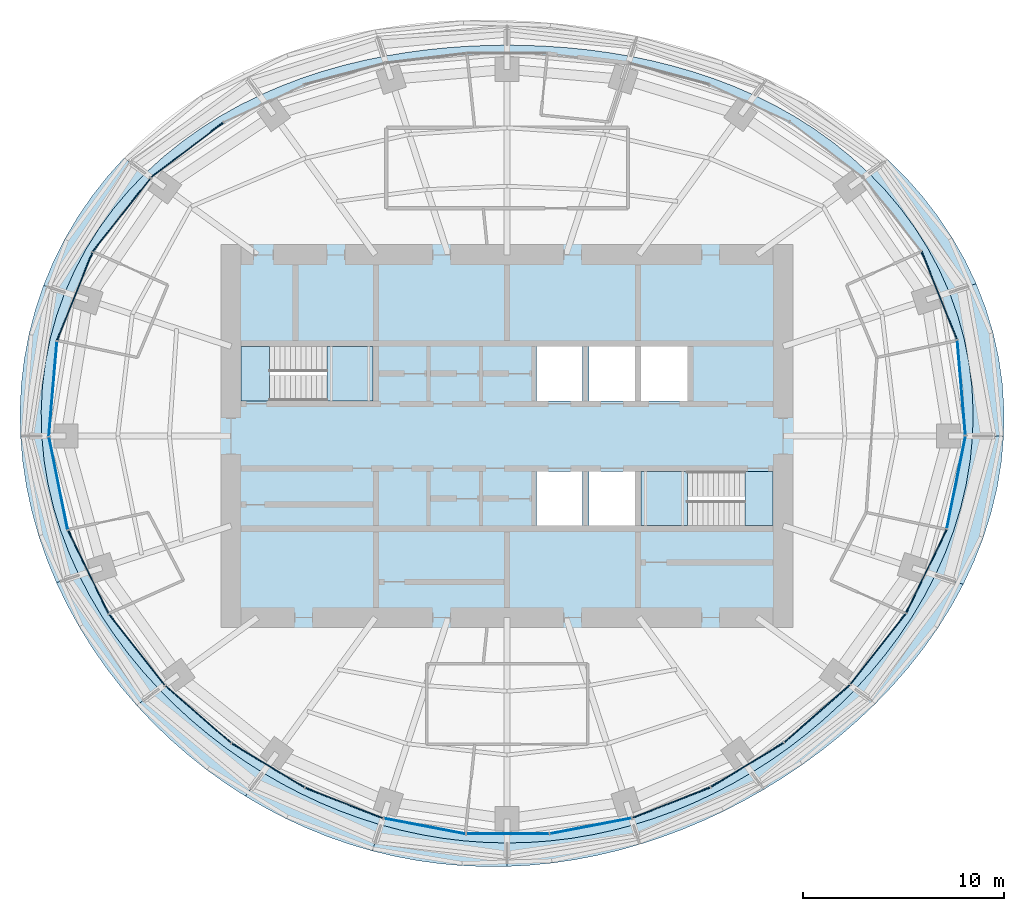
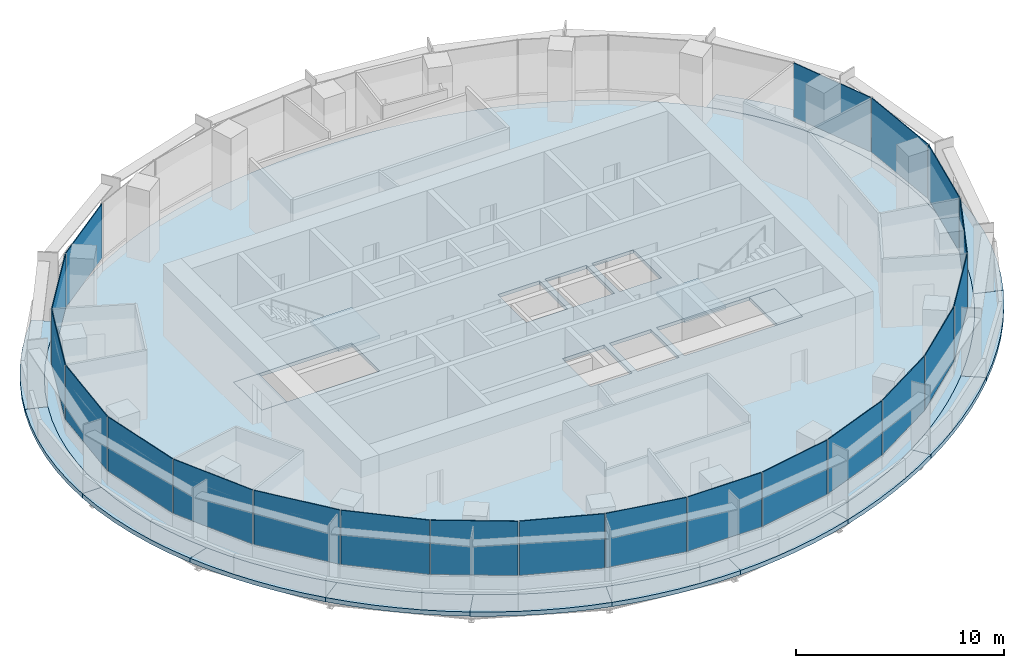
# One storey, part 9 of 15: 21 plates, 19 slabs, 7 elements without a shape of their own.
"""IFC4 building model written with IfcOpenShell, lengths in metres."""

from ifc_helpers import new_model, si_unit, direction, frame, origin, origin_2d, place, context, subcontext, project, spatial, polyline, rectangle, outline, extrude, material, layer, layer_set, type_object, element, aggregate, save


model = new_model("IFC4")

# Units and contexts
model_context = context("Model", 3, precision=1e-05, world=origin(), true_north=direction((0.0, 1.0)))
body_context = subcontext(model_context, "Body", "Model", "MODEL_VIEW")
ifc_project = project(units=[si_unit("LENGTHUNIT", "METRE"), si_unit("AREAUNIT", "SQUARE_METRE"), si_unit("VOLUMEUNIT", "CUBIC_METRE"), si_unit("PLANEANGLEUNIT", "RADIAN"), si_unit("MASSUNIT", "GRAM", prefix="KILO")], contexts=[model_context])

# Site, building, storey
site_placement = place(None, origin())
site = spatial("IfcSite", under=ifc_project, at=site_placement, CompositionType="ELEMENT")
building_placement = place(site_placement, origin())
building = spatial("IfcBuilding", under=site, at=building_placement, Name="Marramba Exchange Tower", CompositionType="ELEMENT")
storey_placement = place(building_placement, frame((0.0, 0.0, 251.800048828125)))
storey = spatial("IfcBuildingStorey", under=building, at=storey_placement, Name="L61", CompositionType="ELEMENT", Elevation=251.800048828125)

# Curtain wall, plates
ifc_material_1 = material(Name="Aluminium framing, bronze anodised", Category="aluminium")
curtain_wall_type = type_object("IfcCurtainWallType", Name="Executive floor ribbon curtain wall", PredefinedType="USERDEFINED", material=ifc_material_1)
curtain_wall_1_placement = place(storey_placement, origin())
curtain_wall_1 = element("IfcCurtainWall", 1, at=curtain_wall_1_placement, inside=storey, type_object=curtain_wall_type, Name="Curtain wall CW5 L61 F01-F05", ObjectType="RIBBON CURTAIN WALL", PredefinedType="USERDEFINED")
ifc_material_2 = material(Name="Laminated double glazed unit 13.52 + 20 + 13.52, bronze tinted, acoustic interlayer", Category="glass")
ifc_layer_1 = layer(ifc_material_2, 0.047119140625)
ifc_layer_set_1 = layer_set([ifc_layer_1], Name="Executive floor ribbon curtain wall panel")
plate_type = type_object("IfcPlateType", Name="Executive floor ribbon curtain wall panel", PredefinedType="CURTAIN_PANEL", material=ifc_layer_set_1)
plate_1_placement = place(storey_placement, frame((22.54345703125, 2.404296875, 0.85986328125), z_axis=(0.0, 0.0, 1.0), x_axis=(-0.085574009881, 0.996331816632, 0.0)))
plate_1 = element("IfcPlate", 2, at=plate_1_placement, type_object=plate_type, Name="CW5 vision panel", PredefinedType="CURTAIN_PANEL", context=body_context, shape_type="SweptSolid", body=[
    extrude(rectangle(XDim=4.70654296875, YDim=0.047119140625, at=origin_2d()), origin(), (0.0, 0.0, 1.0), 3.179931640625),
])
plate_2_placement = place(storey_placement, frame((21.444580078125, 6.9814453125, 0.85986328125), z_axis=(0.0, 0.0, 1.0), x_axis=(-0.372983090774, 0.927838139977, 0.0)))
plate_2 = element("IfcPlate", 3, at=plate_2_placement, type_object=plate_type, Name="CW5 vision panel", PredefinedType="CURTAIN_PANEL", context=body_context, shape_type="SweptSolid", body=[
    extrude(rectangle(XDim=4.692138671875, YDim=0.047119140625, at=origin_2d()), origin(), (0.0, 0.0, 1.0), 3.179931640625),
])
aggregate(curtain_wall_1, [plate_1, plate_2])

curtain_wall_2_placement = place(storey_placement, origin())
curtain_wall_2 = element("IfcCurtainWall", 4, at=curtain_wall_2_placement, inside=storey, type_object=curtain_wall_type, Name="Curtain wall CW5 L61 F11-F15", ObjectType="RIBBON CURTAIN WALL", PredefinedType="USERDEFINED")
plate_3_placement = place(storey_placement, frame((-15.88330078125, 14.201416015625, 0.85986328125), z_axis=(0.0, 0.0, 1.0), x_axis=(-0.796058900199, -0.605219156516, 0.0)))
plate_3 = element("IfcPlate", 5, at=plate_3_placement, type_object=plate_type, Name="CW5 vision panel", PredefinedType="CURTAIN_PANEL", context=body_context, shape_type="SweptSolid", body=[
    extrude(rectangle(XDim=4.49755859375, YDim=0.047119140625, at=origin_2d()), origin(), (0.0, 0.0, 1.0), 3.179931640625),
])
plate_4_placement = place(storey_placement, frame((-19.14013671875, 10.975830078125, 0.85986328125), z_axis=(0.0, 0.0, 1.0), x_axis=(-0.618222857512, -0.786002861604, 0.0)))
plate_4 = element("IfcPlate", 6, at=plate_4_placement, type_object=plate_type, Name="CW5 vision panel", PredefinedType="CURTAIN_PANEL", context=body_context, shape_type="SweptSolid", body=[
    extrude(rectangle(XDim=4.624755859375, YDim=0.047119140625, at=origin_2d()), origin(), (0.0, 0.0, 1.0), 3.179931640625),
])
plate_5_placement = place(storey_placement, frame((-21.467041015625, 6.92578125, 0.85986328125), z_axis=(0.0, 0.0, 1.0), x_axis=(-0.372983090774, -0.927838139977, 0.0)))
plate_5 = element("IfcPlate", 7, at=plate_5_placement, type_object=plate_type, Name="CW5 vision panel", PredefinedType="CURTAIN_PANEL", context=body_context, shape_type="SweptSolid", body=[
    extrude(rectangle(XDim=4.692138671875, YDim=0.047119140625, at=origin_2d()), origin(), (0.0, 0.0, 1.0), 3.179931640625),
])
plate_6_placement = place(storey_placement, frame((-22.548583984375, 2.344482421875, 0.85986328125), z_axis=(0.0, 0.0, 1.0), x_axis=(-0.085574009881, -0.996331816632, 0.0)))
plate_6 = element("IfcPlate", 8, at=plate_6_placement, type_object=plate_type, Name="CW5 vision panel", PredefinedType="CURTAIN_PANEL", context=body_context, shape_type="SweptSolid", body=[
    extrude(rectangle(XDim=4.70654296875, YDim=0.047119140625, at=origin_2d()), origin(), (0.0, 0.0, 1.0), 3.179931640625),
])
aggregate(curtain_wall_2, [plate_3, plate_4, plate_5, plate_6])

curtain_wall_3_placement = place(storey_placement, origin())
curtain_wall_3 = element("IfcCurtainWall", 9, at=curtain_wall_3_placement, inside=storey, type_object=curtain_wall_type, Name="Curtain wall CW5 L61 F16-F20", ObjectType="RIBBON CURTAIN WALL", PredefinedType="USERDEFINED")
plate_7_placement = place(storey_placement, frame((-22.276611328125, -2.347900390625, 0.85986328125), z_axis=(0.0, 0.0, 1.0), x_axis=(0.19767053089, -0.980268514856, 0.0)))
plate_7 = element("IfcPlate", 10, at=plate_7_placement, type_object=plate_type, Name="CW5 vision panel", PredefinedType="CURTAIN_PANEL", context=body_context, shape_type="SweptSolid", body=[
    extrude(rectangle(XDim=4.670166015625, YDim=0.047119140625, at=origin_2d()), origin(), (0.0, 0.0, 1.0), 3.179931640625),
])
plate_8_placement = place(storey_placement, frame((-20.789306640625, -6.7509765625, 0.85986328125), z_axis=(0.0, 0.0, 1.0), x_axis=(0.436514585945, -0.89969718031, 0.0)))
plate_8 = element("IfcPlate", 11, at=plate_8_placement, type_object=plate_type, Name="CW5 vision panel", PredefinedType="CURTAIN_PANEL", context=body_context, shape_type="SweptSolid", body=[
    extrude(rectangle(XDim=4.579345703125, YDim=0.047119140625, at=origin_2d()), origin(), (0.0, 0.0, 1.0), 3.179931640625),
])
plate_9_placement = place(storey_placement, frame((-18.3779296875, -10.605712890625, 0.85986328125), z_axis=(0.0, 0.0, 1.0), x_axis=(0.618290634763, -0.78594954734, 0.0)))
plate_9 = element("IfcPlate", 12, at=plate_9_placement, type_object=plate_type, Name="CW5 vision panel", PredefinedType="CURTAIN_PANEL", context=body_context, shape_type="SweptSolid", body=[
    extrude(rectangle(XDim=4.447265625, YDim=0.047119140625, at=origin_2d()), origin(), (0.0, 0.0, 1.0), 3.179931640625),
])
plate_10_placement = place(storey_placement, frame((-15.335693359375, -13.8115234375, 0.85986328125), z_axis=(0.0, 0.0, 1.0), x_axis=(0.752751050569, -0.658305290779, 0.0)))
plate_10 = element("IfcPlate", 13, at=plate_10_placement, type_object=plate_type, Name="CW5 vision panel", PredefinedType="CURTAIN_PANEL", context=body_context, shape_type="SweptSolid", body=[
    extrude(rectangle(XDim=4.31005859375, YDim=0.047119140625, at=origin_2d()), origin(), (0.0, 0.0, 1.0), 3.179931640625),
])
plate_11_placement = place(storey_placement, frame((-11.866455078125, -16.35205078125, 0.85986328125), z_axis=(0.0, 0.0, 1.0), x_axis=(0.854704329539, -0.519115121209, 0.0)))
plate_11 = element("IfcPlate", 14, at=plate_11_placement, type_object=plate_type, Name="CW5 vision panel", PredefinedType="CURTAIN_PANEL", context=body_context, shape_type="SweptSolid", body=[
    extrude(rectangle(XDim=4.2021484375, YDim=0.047119140625, at=origin_2d()), origin(), (0.0, 0.0, 1.0), 3.179931640625),
])
aggregate(curtain_wall_3, [plate_7, plate_8, plate_9, plate_10, plate_11])

curtain_wall_4_placement = place(storey_placement, origin())
curtain_wall_4 = element("IfcCurtainWall", 15, at=curtain_wall_4_placement, inside=storey, type_object=curtain_wall_type, Name="Curtain wall CW5 L61 F21-F25", ObjectType="RIBBON CURTAIN WALL", PredefinedType="USERDEFINED")
plate_12_placement = place(storey_placement, frame((-8.08837890625, -18.215087890625, 0.85986328125), z_axis=(0.0, 0.0, 1.0), x_axis=(0.931785137859, -0.363010271018, 0.0)))
plate_12 = element("IfcPlate", 16, at=plate_12_placement, type_object=plate_type, Name="CW5 vision panel", PredefinedType="CURTAIN_PANEL", context=body_context, shape_type="SweptSolid", body=[
    extrude(rectangle(XDim=4.134521484375, YDim=0.047119140625, at=origin_2d()), origin(), (0.0, 0.0, 1.0), 3.179931640625),
])
plate_13_placement = place(storey_placement, frame((-4.08935546875, -19.36181640625, 0.85986328125), z_axis=(0.0, 0.0, 1.0), x_axis=(0.982193291127, -0.187873198899, 0.0)))
plate_13 = element("IfcPlate", 17, at=plate_13_placement, type_object=plate_type, Name="CW5 vision panel", PredefinedType="CURTAIN_PANEL", context=body_context, shape_type="SweptSolid", body=[
    extrude(rectangle(XDim=4.100830078125, YDim=0.047119140625, at=origin_2d()), origin(), (0.0, 0.0, 1.0), 3.179931640625),
])
plate_14_placement = place(storey_placement, frame((0.030029296875, -19.7470703125, 0.85986328125), z_axis=(0.0, 0.0, 1.0), x_axis=(1.0, 0.0, 0.0)))
plate_14 = element("IfcPlate", 18, at=plate_14_placement, type_object=plate_type, Name="CW5 vision panel", PredefinedType="CURTAIN_PANEL", context=body_context, shape_type="SweptSolid", body=[
    extrude(rectangle(XDim=4.091064453125, YDim=0.047119140625, at=origin_2d()), origin(), (0.0, 0.0, 1.0), 3.179931640625),
])
plate_15_placement = place(storey_placement, frame((4.1484375, -19.3505859375, 0.85986328125), z_axis=(0.0, 0.0, 1.0), x_axis=(0.982193291127, 0.187873198899, 0.0)))
plate_15 = element("IfcPlate", 19, at=plate_15_placement, type_object=plate_type, Name="CW5 vision panel", PredefinedType="CURTAIN_PANEL", context=body_context, shape_type="SweptSolid", body=[
    extrude(rectangle(XDim=4.100830078125, YDim=0.047119140625, at=origin_2d()), origin(), (0.0, 0.0, 1.0), 3.179931640625),
])
plate_16_placement = place(storey_placement, frame((8.144287109375, -18.193115234375, 0.85986328125), z_axis=(0.0, 0.0, 1.0), x_axis=(0.931785137859, 0.363010271018, 0.0)))
plate_16 = element("IfcPlate", 20, at=plate_16_placement, type_object=plate_type, Name="CW5 vision panel", PredefinedType="CURTAIN_PANEL", context=body_context, shape_type="SweptSolid", body=[
    extrude(rectangle(XDim=4.134521484375, YDim=0.047119140625, at=origin_2d()), origin(), (0.0, 0.0, 1.0), 3.179931640625),
])
aggregate(curtain_wall_4, [plate_12, plate_13, plate_14, plate_15, plate_16])

curtain_wall_5_placement = place(storey_placement, origin())
curtain_wall_5 = element("IfcCurtainWall", 21, at=curtain_wall_5_placement, inside=storey, type_object=curtain_wall_type, Name="Curtain wall CW5 L61 F26-F30", ObjectType="RIBBON CURTAIN WALL", PredefinedType="USERDEFINED")
plate_17_placement = place(storey_placement, frame((11.917724609375, -16.321044921875, 0.85986328125), z_axis=(0.0, 0.0, 1.0), x_axis=(0.854704329539, 0.519115121209, 0.0)))
plate_17 = element("IfcPlate", 22, at=plate_17_placement, type_object=plate_type, Name="CW5 vision panel", PredefinedType="CURTAIN_PANEL", context=body_context, shape_type="SweptSolid", body=[
    extrude(rectangle(XDim=4.2021484375, YDim=0.047119140625, at=origin_2d()), origin(), (0.0, 0.0, 1.0), 3.179931640625),
])
plate_18_placement = place(storey_placement, frame((15.380859375, -13.772216796875, 0.85986328125), z_axis=(0.0, 0.0, 1.0), x_axis=(0.752751050569, 0.658305290779, 0.0)))
plate_18 = element("IfcPlate", 23, at=plate_18_placement, type_object=plate_type, Name="CW5 vision panel", PredefinedType="CURTAIN_PANEL", context=body_context, shape_type="SweptSolid", body=[
    extrude(rectangle(XDim=4.31005859375, YDim=0.047119140625, at=origin_2d()), origin(), (0.0, 0.0, 1.0), 3.179931640625),
])
plate_19_placement = place(storey_placement, frame((18.4150390625, -10.55859375, 0.85986328125), z_axis=(0.0, 0.0, 1.0), x_axis=(0.618290634763, 0.78594954734, 0.0)))
plate_19 = element("IfcPlate", 24, at=plate_19_placement, type_object=plate_type, Name="CW5 vision panel", PredefinedType="CURTAIN_PANEL", context=body_context, shape_type="SweptSolid", body=[
    extrude(rectangle(XDim=4.447265625, YDim=0.047119140625, at=origin_2d()), origin(), (0.0, 0.0, 1.0), 3.179931640625),
])
plate_20_placement = place(storey_placement, frame((20.8154296875, -6.697021484375, 0.85986328125), z_axis=(0.0, 0.0, 1.0), x_axis=(0.436514585945, 0.89969718031, 0.0)))
plate_20 = element("IfcPlate", 25, at=plate_20_placement, type_object=plate_type, Name="CW5 vision panel", PredefinedType="CURTAIN_PANEL", context=body_context, shape_type="SweptSolid", body=[
    extrude(rectangle(XDim=4.579345703125, YDim=0.047119140625, at=origin_2d()), origin(), (0.0, 0.0, 1.0), 3.179931640625),
])
plate_21_placement = place(storey_placement, frame((22.288330078125, -2.2890625, 0.85986328125), z_axis=(0.0, 0.0, 1.0), x_axis=(0.19767053089, 0.980268514856, 0.0)))
plate_21 = element("IfcPlate", 26, at=plate_21_placement, type_object=plate_type, Name="CW5 vision panel", PredefinedType="CURTAIN_PANEL", context=body_context, shape_type="SweptSolid", body=[
    extrude(rectangle(XDim=4.670166015625, YDim=0.047119140625, at=origin_2d()), origin(), (0.0, 0.0, 1.0), 3.179931640625),
])
aggregate(curtain_wall_5, [plate_17, plate_18, plate_19, plate_20, plate_21])

# Slabs
ifc_material_3 = material(Name="Concrete N40", Category="concrete")
ifc_layer_2 = layer(ifc_material_3, 0.199951171875)
ifc_layer_set_2 = layer_set([ifc_layer_2], Name="Floor slab 200")
slab_type_1 = type_object("IfcSlabType", Name="Floor slab 200", PredefinedType="FLOOR", material=ifc_layer_set_2)
slab_1_placement = place(storey_placement, frame((0.0, 0.0, -0.199951171875)))
element("IfcSlab", 27, at=slab_1_placement, inside=storey, type_object=slab_type_1, Name="Floor slab L61", PredefinedType="FLOOR", context=body_context, shape_type="SweptSolid", body=[
    extrude(outline(polyline([(23.10009765625, 0.0), (23.129150390625, 1.212158203125), (23.070068359375, 2.4248046875), (22.921630859375, 3.63037109375), (22.6845703125, 4.82177734375), (22.359619140625, 5.9912109375), (21.94970703125, 7.1318359375), (21.4580078125, 8.237060546875), (20.889404296875, 9.300537109375), (20.248779296875, 10.3173828125), (19.542236328125, 11.28271484375), (18.77587890625, 12.193359375), (17.95654296875, 13.046142578125), (17.090576171875, 13.83984375), (16.18505859375, 14.572998046875), (15.245849609375, 15.245849609375), (14.279541015625, 15.85888671875), (13.291259765625, 16.413330078125), (12.28662109375, 16.9111328125), (11.270263671875, 17.3544921875), (10.24560546875, 17.745849609375), (9.21630859375, 18.088134765625), (8.185302734375, 18.38427734375), (7.154296875, 18.63720703125), (6.124755859375, 18.849853515625), (5.09765625, 19.024658203125), (4.073486328125, 19.1640625), (3.05224609375, 19.2705078125), (2.033203125, 19.344970703125), (1.01611328125, 19.389404296875), (0.0, 19.404052734375), (-1.01611328125, 19.389404296875), (-2.033203125, 19.344970703125), (-3.05224609375, 19.2705078125), (-4.073486328125, 19.1640625), (-5.09765625, 19.024658203125), (-6.124755859375, 18.849853515625), (-7.154296875, 18.63720703125), (-8.185302734375, 18.38427734375), (-9.21630859375, 18.088134765625), (-10.24560546875, 17.745849609375), (-11.270263671875, 17.3544921875), (-12.28662109375, 16.9111328125), (-13.291259765625, 16.413330078125), (-14.279541015625, 15.85888671875), (-15.245849609375, 15.245849609375), (-16.18505859375, 14.572998046875), (-17.090576171875, 13.83984375), (-17.95654296875, 13.046142578125), (-18.77587890625, 12.193359375), (-19.542236328125, 11.28271484375), (-20.248779296875, 10.3173828125), (-20.889404296875, 9.300537109375), (-21.4580078125, 8.237060546875), (-21.94970703125, 7.1318359375), (-22.359619140625, 5.9912109375), (-22.6845703125, 4.82177734375), (-22.921630859375, 3.63037109375), (-23.070068359375, 2.4248046875), (-23.129150390625, 1.212158203125), (-23.10009765625, 0.0), (-22.98486328125, -1.20458984375), (-22.78662109375, -2.39501953125), (-22.50927734375, -3.565185546875), (-22.1572265625, -4.709716796875), (-21.736083984375, -5.82421875), (-21.250732421875, -6.90478515625), (-20.706787109375, -7.948486328125), (-20.109619140625, -8.953369140625), (-19.46435546875, -9.91748046875), (-18.77587890625, -10.84033203125), (-18.048583984375, -11.720947265625), (-17.2861328125, -12.55908203125), (-16.4921875, -13.355224609375), (-15.669677734375, -14.10888671875), (-14.820556640625, -14.820556640625), (-13.947509765625, -15.490478515625), (-13.05224609375, -16.1181640625), (-12.1357421875, -16.703369140625), (-11.199951171875, -17.246337890625), (-10.24560546875, -17.745849609375), (-9.274169921875, -18.20166015625), (-8.287109375, -18.613037109375), (-7.285400390625, -18.978759765625), (-6.2705078125, -19.29833984375), (-5.243896484375, -19.570556640625), (-4.20751953125, -19.79443359375), (-3.162841796875, -19.9697265625), (-2.112060546875, -20.09521484375), (-1.05712890625, -20.1708984375), (0.0, -20.196044921875), (1.05712890625, -20.1708984375), (2.112060546875, -20.09521484375), (3.162841796875, -19.9697265625), (4.20751953125, -19.79443359375), (5.243896484375, -19.570556640625), (6.2705078125, -19.29833984375), (7.285400390625, -18.978759765625), (8.287109375, -18.613037109375), (9.274169921875, -18.20166015625), (10.24560546875, -17.745849609375), (11.199951171875, -17.246337890625), (12.1357421875, -16.703369140625), (13.05224609375, -16.1181640625), (13.947509765625, -15.490478515625), (14.820556640625, -14.820556640625), (15.669677734375, -14.10888671875), (16.4921875, -13.355224609375), (17.2861328125, -12.55908203125), (18.048583984375, -11.720947265625), (18.77587890625, -10.84033203125), (19.46435546875, -9.91748046875), (20.109619140625, -8.953369140625), (20.706787109375, -7.948486328125), (21.250732421875, -6.90478515625), (21.736083984375, -5.82421875), (22.1572265625, -4.709716796875), (22.50927734375, -3.565185546875), (22.78662109375, -2.39501953125), (22.98486328125, -1.20458984375), (23.10009765625, 0.0)]), holes=[polyline([(1.449951171875, 1.75), (3.75, 1.75), (3.75, 4.449951171875), (1.449951171875, 4.449951171875), (1.449951171875, 1.75)]), polyline([(4.050048828125, 1.75), (6.35009765625, 1.75), (6.35009765625, 4.449951171875), (4.050048828125, 4.449951171875), (4.050048828125, 1.75)]), polyline([(1.449951171875, -4.449951171875), (3.75, -4.449951171875), (3.75, -1.75), (1.449951171875, -1.75), (1.449951171875, -4.449951171875)]), polyline([(4.050048828125, -4.449951171875), (6.35009765625, -4.449951171875), (6.35009765625, -1.75), (4.050048828125, -1.75), (4.050048828125, -4.449951171875)]), polyline([(6.64990234375, 1.75), (8.949951171875, 1.75), (8.949951171875, 4.449951171875), (6.64990234375, 4.449951171875), (6.64990234375, 1.75)]), polyline([(-13.199951171875, 1.75), (-6.64990234375, 1.75), (-6.64990234375, 4.449951171875), (-13.199951171875, 4.449951171875), (-13.199951171875, 1.75)]), polyline([(6.64990234375, -4.449951171875), (13.199951171875, -4.449951171875), (13.199951171875, -1.75), (6.64990234375, -1.75), (6.64990234375, -4.449951171875)])]), origin(), (0.0, 0.0, 1.0), 0.199951171875),
])
ifc_layer_3 = layer(ifc_material_3, 0.25)
ifc_layer_set_3 = layer_set([ifc_layer_3], Name="Setback roof slab 250")
slab_type_2 = type_object("IfcSlabType", Name="Setback roof slab 250", PredefinedType="ROOF", material=ifc_layer_set_3)
slab_2_placement = place(storey_placement, frame((0.0, 0.0, -0.25)))
element("IfcSlab", 28, at=slab_2_placement, inside=storey, type_object=slab_type_2, Name="Setback roof slab L61 bay 01 (maintenance access only)", PredefinedType="ROOF", context=body_context, shape_type="SweptSolid", body=[
    extrude(outline(polyline([(23.281494140625, 7.564697265625), (23.7470703125, 6.363037109375), (24.12109375, 5.127197265625), (24.399658203125, 3.864501953125), (24.580078125, 2.58349609375), (24.661376953125, 1.29248046875), (24.64404296875, 0.0), (23.10009765625, 0.0), (23.129150390625, 1.212158203125), (23.070068359375, 2.4248046875), (22.921630859375, 3.63037109375), (22.6845703125, 4.82177734375), (22.359619140625, 5.9912109375), (21.94970703125, 7.1318359375), (23.281494140625, 7.564697265625)])), origin(), (0.0, 0.0, 1.0), 0.25),
])
slab_3_placement = place(storey_placement, frame((0.0, 0.0, -0.25)))
element("IfcSlab", 29, at=slab_3_placement, inside=storey, type_object=slab_type_2, Name="Setback roof slab L61 bay 02 (maintenance access only)", PredefinedType="ROOF", context=body_context, shape_type="SweptSolid", body=[
    extrude(outline(polyline([(19.780029296875, 12.845458984375), (20.614013671875, 11.901611328125), (21.388427734375, 10.89794921875), (22.095947265625, 9.837646484375), (22.72900390625, 8.724853515625), (23.281494140625, 7.564697265625), (21.94970703125, 7.1318359375), (21.4580078125, 8.237060546875), (20.889404296875, 9.300537109375), (20.248779296875, 10.3173828125), (19.542236328125, 11.28271484375), (18.77587890625, 12.193359375), (17.95654296875, 13.046142578125), (18.894287109375, 13.7275390625), (19.780029296875, 12.845458984375)])), origin(), (0.0, 0.0, 1.0), 0.25),
])
slab_4_placement = place(storey_placement, frame((0.0, 0.0, -0.25)))
element("IfcSlab", 30, at=slab_4_placement, inside=storey, type_object=slab_type_2, Name="Setback roof slab L61 bay 09 (maintenance access only)", PredefinedType="ROOF", context=body_context, shape_type="SweptSolid", body=[
    extrude(outline(polyline([(-23.01318359375, 7.477294921875), (-22.52685546875, 8.647216796875), (-21.9619140625, 9.778076171875), (-21.32275390625, 10.864501953125), (-20.614013671875, 11.901611328125), (-19.841064453125, 12.885009765625), (-19.009521484375, 13.811279296875), (-17.95654296875, 13.046142578125), (-18.77587890625, 12.193359375), (-19.542236328125, 11.28271484375), (-20.248779296875, 10.3173828125), (-20.889404296875, 9.300537109375), (-21.4580078125, 8.237060546875), (-21.94970703125, 7.1318359375), (-23.01318359375, 7.477294921875)])), origin(), (0.0, 0.0, 1.0), 0.25),
])
slab_5_placement = place(storey_placement, frame((0.0, 0.0, -0.25)))
element("IfcSlab", 31, at=slab_5_placement, inside=storey, type_object=slab_type_2, Name="Setback roof slab L61 bay 10 (maintenance access only)", PredefinedType="ROOF", context=body_context, shape_type="SweptSolid", body=[
    extrude(outline(polyline([(-24.180419921875, 1.267333984375), (-24.119384765625, 2.53515625), (-23.971923828125, 3.796875), (-23.73779296875, 5.045654296875), (-23.417724609375, 6.274658203125), (-23.01318359375, 7.477294921875), (-21.94970703125, 7.1318359375), (-22.359619140625, 5.9912109375), (-22.6845703125, 4.82177734375), (-22.921630859375, 3.63037109375), (-23.070068359375, 2.4248046875), (-23.129150390625, 1.212158203125), (-23.10009765625, 0.0), (-24.156005859375, 0.0), (-24.180419921875, 1.267333984375)])), origin(), (0.0, 0.0, 1.0), 0.25),
])
slab_6_placement = place(storey_placement, frame((0.0, 0.0, -0.25)))
element("IfcSlab", 32, at=slab_6_placement, inside=storey, type_object=slab_type_2, Name="Setback roof slab L61 bay 11 (maintenance access only)", PredefinedType="ROOF", context=body_context, shape_type="SweptSolid", body=[
    extrude(outline(polyline([(-22.846923828125, -6.121826171875), (-23.25537109375, -4.943115234375), (-23.594482421875, -3.737060546875), (-23.860107421875, -2.5078125), (-24.04833984375, -1.26025390625), (-24.156005859375, 0.0), (-23.10009765625, 0.0), (-22.98486328125, -1.20458984375), (-22.78662109375, -2.39501953125), (-22.50927734375, -3.565185546875), (-22.1572265625, -4.709716796875), (-21.736083984375, -5.82421875), (-21.250732421875, -6.90478515625), (-22.373291015625, -7.26953125), (-22.846923828125, -6.121826171875)])), origin(), (0.0, 0.0, 1.0), 0.25),
])
slab_7_placement = place(storey_placement, frame((0.0, 0.0, -0.25)))
element("IfcSlab", 33, at=slab_7_placement, inside=storey, type_object=slab_type_2, Name="Setback roof slab L61 bay 12 (maintenance access only)", PredefinedType="ROOF", context=body_context, shape_type="SweptSolid", body=[
    extrude(outline(polyline([(-18.395263671875, -13.364990234375), (-19.174560546875, -12.4521484375), (-19.912109375, -11.496337890625), (-20.604248046875, -10.49853515625), (-21.247802734375, -9.460205078125), (-21.8388671875, -8.38330078125), (-22.373291015625, -7.26953125), (-21.250732421875, -6.90478515625), (-20.706787109375, -7.948486328125), (-20.109619140625, -8.953369140625), (-19.46435546875, -9.91748046875), (-18.77587890625, -10.84033203125), (-18.048583984375, -11.720947265625), (-17.2861328125, -12.55908203125), (-18.395263671875, -13.364990234375)])), origin(), (0.0, 0.0, 1.0), 0.25),
])
slab_8_placement = place(storey_placement, frame((0.0, 0.0, -0.25)))
element("IfcSlab", 34, at=slab_8_placement, inside=storey, type_object=slab_type_2, Name="Setback roof slab L61 bay 13 (maintenance access only)", PredefinedType="ROOF", context=body_context, shape_type="SweptSolid", body=[
    extrude(outline(polyline([(-13.966064453125, -17.24658203125), (-14.914794921875, -16.564453125), (-15.834228515625, -15.834228515625), (-16.72265625, -15.05712890625), (-17.5771484375, -14.233642578125), (-18.395263671875, -13.364990234375), (-17.2861328125, -12.55908203125), (-16.4921875, -13.355224609375), (-15.669677734375, -14.10888671875), (-14.820556640625, -14.820556640625), (-13.947509765625, -15.490478515625), (-13.05224609375, -16.1181640625), (-12.1357421875, -16.703369140625), (-12.990234375, -17.879638671875), (-13.966064453125, -17.24658203125)])), origin(), (0.0, 0.0, 1.0), 0.25),
])
slab_9_placement = place(storey_placement, frame((0.0, 0.0, -0.25)))
element("IfcSlab", 35, at=slab_9_placement, inside=storey, type_object=slab_type_2, Name="Setback roof slab L61 bay 14 (maintenance access only)", PredefinedType="ROOF", context=body_context, shape_type="SweptSolid", body=[
    extrude(outline(polyline([(-6.691162109375, -20.593505859375), (-7.78271484375, -20.2744140625), (-8.860595703125, -19.901123046875), (-9.922607421875, -19.47412109375), (-10.96630859375, -18.994384765625), (-11.98974609375, -18.46240234375), (-12.990234375, -17.879638671875), (-12.1357421875, -16.703369140625), (-11.199951171875, -17.246337890625), (-10.24560546875, -17.745849609375), (-9.274169921875, -18.20166015625), (-8.287109375, -18.613037109375), (-7.285400390625, -18.978759765625), (-6.2705078125, -19.29833984375), (-6.691162109375, -20.593505859375)])), origin(), (0.0, 0.0, 1.0), 0.25),
])
slab_10_placement = place(storey_placement, frame((0.0, 0.0, -0.25)))
element("IfcSlab", 36, at=slab_10_placement, inside=storey, type_object=slab_type_2, Name="Setback roof slab L61 bay 15 (maintenance access only)", PredefinedType="ROOF", context=body_context, shape_type="SweptSolid", body=[
    extrude(outline(polyline([(-1.119873046875, -21.370361328125), (-2.2412109375, -21.32373046875), (-3.361328125, -21.22314453125), (-4.478271484375, -21.068115234375), (-5.5888671875, -20.858154296875), (-6.691162109375, -20.593505859375), (-6.2705078125, -19.29833984375), (-5.243896484375, -19.570556640625), (-4.20751953125, -19.79443359375), (-3.162841796875, -19.9697265625), (-2.112060546875, -20.09521484375), (-1.05712890625, -20.1708984375), (0.0, -20.196044921875), (0.0, -21.36376953125), (-1.119873046875, -21.370361328125)])), origin(), (0.0, 0.0, 1.0), 0.25),
])
slab_11_placement = place(storey_placement, frame((0.0, 0.0, -0.25)))
element("IfcSlab", 37, at=slab_11_placement, inside=storey, type_object=slab_type_2, Name="Setback roof slab L61 bay 16 (maintenance access only)", PredefinedType="ROOF", context=body_context, shape_type="SweptSolid", body=[
    extrude(outline(polyline([(6.5849609375, -20.266357421875), (5.511474609375, -20.56884765625), (4.426513671875, -20.8251953125), (3.33154296875, -21.0341796875), (2.2275390625, -21.194580078125), (1.116455078125, -21.3046875), (0.0, -21.36376953125), (0.0, -20.196044921875), (1.05712890625, -20.1708984375), (2.112060546875, -20.09521484375), (3.162841796875, -19.9697265625), (4.20751953125, -19.79443359375), (5.243896484375, -19.570556640625), (6.2705078125, -19.29833984375), (6.5849609375, -20.266357421875)])), origin(), (0.0, 0.0, 1.0), 0.25),
])
slab_12_placement = place(storey_placement, frame((0.0, 0.0, -0.25)))
element("IfcSlab", 38, at=slab_12_placement, inside=storey, type_object=slab_type_2, Name="Setback roof slab L61 bay 17 (maintenance access only)", PredefinedType="ROOF", context=body_context, shape_type="SweptSolid", body=[
    extrude(outline(polyline([(11.75439453125, -18.100341796875), (10.749267578125, -18.6181640625), (9.72900390625, -19.09423828125), (8.694580078125, -19.528076171875), (7.646240234375, -19.919189453125), (6.5849609375, -20.266357421875), (6.2705078125, -19.29833984375), (7.285400390625, -18.978759765625), (8.287109375, -18.613037109375), (9.274169921875, -18.20166015625), (10.24560546875, -17.745849609375), (11.199951171875, -17.246337890625), (12.1357421875, -16.703369140625), (12.744140625, -17.541015625), (11.75439453125, -18.100341796875)])), origin(), (0.0, 0.0, 1.0), 0.25),
])
slab_13_placement = place(storey_placement, frame((0.0, 0.0, -0.25)))
element("IfcSlab", 39, at=slab_13_placement, inside=storey, type_object=slab_type_2, Name="Setback roof slab L61 bay 18 (maintenance access only)", PredefinedType="ROOF", context=body_context, shape_type="SweptSolid", body=[
    extrude(outline(polyline([(18.280029296875, -13.28125), (17.415771484375, -14.10302734375), (16.5244140625, -14.878662109375), (15.609130859375, -15.609130859375), (14.6728515625, -16.2958984375), (13.71728515625, -16.939697265625), (12.744140625, -17.541015625), (12.1357421875, -16.703369140625), (13.05224609375, -16.1181640625), (13.947509765625, -15.490478515625), (14.820556640625, -14.820556640625), (15.669677734375, -14.10888671875), (16.4921875, -13.355224609375), (17.2861328125, -12.55908203125), (18.280029296875, -13.28125)])), origin(), (0.0, 0.0, 1.0), 0.25),
])
slab_14_placement = place(storey_placement, frame((0.0, 0.0, -0.25)))
element("IfcSlab", 40, at=slab_14_placement, inside=storey, type_object=slab_type_2, Name="Setback roof slab L61 bay 19 (maintenance access only)", PredefinedType="ROOF", context=body_context, shape_type="SweptSolid", body=[
    extrude(outline(polyline([(22.641845703125, -7.356689453125), (22.041259765625, -8.4609375), (21.3818359375, -9.519775390625), (20.669921875, -10.531982421875), (19.912109375, -11.496337890625), (19.11376953125, -12.41259765625), (18.280029296875, -13.28125), (17.2861328125, -12.55908203125), (18.048583984375, -11.720947265625), (18.77587890625, -10.84033203125), (19.46435546875, -9.91748046875), (20.109619140625, -8.953369140625), (20.706787109375, -7.948486328125), (21.250732421875, -6.90478515625), (22.641845703125, -7.356689453125)])), origin(), (0.0, 0.0, 1.0), 0.25),
])
slab_15_placement = place(storey_placement, frame((0.0, 0.0, -0.25)))
element("IfcSlab", 41, at=slab_15_placement, inside=storey, type_object=slab_type_2, Name="Setback roof slab L61 bay 20 (maintenance access only)", PredefinedType="ROOF", context=body_context, shape_type="SweptSolid", body=[
    extrude(outline(polyline([(24.529541015625, -1.28564453125), (24.32080078125, -2.55615234375), (24.022216796875, -3.8046875), (23.638671875, -5.024658203125), (23.176513671875, -6.210205078125), (22.641845703125, -7.356689453125), (21.250732421875, -6.90478515625), (21.736083984375, -5.82421875), (22.1572265625, -4.709716796875), (22.50927734375, -3.565185546875), (22.78662109375, -2.39501953125), (22.98486328125, -1.20458984375), (23.10009765625, 0.0), (24.64404296875, 0.0), (24.529541015625, -1.28564453125)])), origin(), (0.0, 0.0, 1.0), 0.25),
])

# Stair, slabs
ifc_material_4 = material(Name="Concrete N40 (40 MPa)", Category="concrete")
stair_type_1 = type_object("IfcStairType", Name="Exit stair ST1 4200 x 1250", PredefinedType="HALF_TURN_STAIR", material=ifc_material_4)
stair_1_placement = place(storey_placement, origin())
stair_1 = element("IfcStair", 42, at=stair_1_placement, inside=storey, type_object=stair_type_1, Name="Exit stair ST1 L61", PredefinedType="HALF_TURN_STAIR")
ifc_layer_4 = layer(ifc_material_4, 0.199951171875)
ifc_layer_set_4 = layer_set([ifc_layer_4], Name="Stair landing 200")
slab_type_3 = type_object("IfcSlabType", Name="Stair landing 200", PredefinedType="LANDING", material=ifc_layer_set_4)
slab_16_placement = place(storey_placement, frame((0.0, 0.0, -0.199951171875)))
slab_16 = element("IfcSlab", 43, at=slab_16_placement, type_object=slab_type_3, Name="ST1 landing 1", PredefinedType="LANDING", context=body_context, shape_type="SweptSolid", body=[
    extrude(outline(polyline([(-13.199951171875, 1.75), (-11.800048828125, 1.75), (-11.800048828125, 4.449951171875), (-13.199951171875, 4.449951171875), (-13.199951171875, 1.75)])), origin(), (0.0, 0.0, 1.0), 0.199951171875),
])
slab_17_placement = place(storey_placement, frame((0.0, 0.0, 1.89990234375)))
slab_17 = element("IfcSlab", 44, at=slab_17_placement, type_object=slab_type_3, Name="ST1 landing 2", PredefinedType="LANDING", context=body_context, shape_type="SweptSolid", body=[
    extrude(outline(polyline([(-8.93994140625, 1.75), (-6.64990234375, 1.75), (-6.64990234375, 4.449951171875), (-8.93994140625, 4.449951171875), (-8.93994140625, 1.75)])), origin(), (0.0, 0.0, 1.0), 0.199951171875),
])
aggregate(stair_1, [slab_16, slab_17])

stair_type_2 = type_object("IfcStairType", Name="Exit stair ST2 4200 x 1250", PredefinedType="HALF_TURN_STAIR", material=ifc_material_4)
stair_2_placement = place(storey_placement, origin())
stair_2 = element("IfcStair", 45, at=stair_2_placement, inside=storey, type_object=stair_type_2, Name="Exit stair ST2 L61", PredefinedType="HALF_TURN_STAIR")
slab_18_placement = place(storey_placement, frame((0.0, 0.0, -0.199951171875)))
slab_18 = element("IfcSlab", 46, at=slab_18_placement, type_object=slab_type_3, Name="ST2 landing 1", PredefinedType="LANDING", context=body_context, shape_type="SweptSolid", body=[
    extrude(outline(polyline([(11.800048828125, -4.449951171875), (13.199951171875, -4.449951171875), (13.199951171875, -1.75), (11.800048828125, -1.75), (11.800048828125, -4.449951171875)])), origin(), (0.0, 0.0, 1.0), 0.199951171875),
])
slab_19_placement = place(storey_placement, frame((0.0, 0.0, 1.89990234375)))
slab_19 = element("IfcSlab", 47, at=slab_19_placement, type_object=slab_type_3, Name="ST2 landing 2", PredefinedType="LANDING", context=body_context, shape_type="SweptSolid", body=[
    extrude(outline(polyline([(6.64990234375, -4.449951171875), (8.93994140625, -4.449951171875), (8.93994140625, -1.75), (6.64990234375, -1.75), (6.64990234375, -4.449951171875)])), origin(), (0.0, 0.0, 1.0), 0.199951171875),
])
aggregate(stair_2, [slab_18, slab_19])

save(model, "model.ifc")
